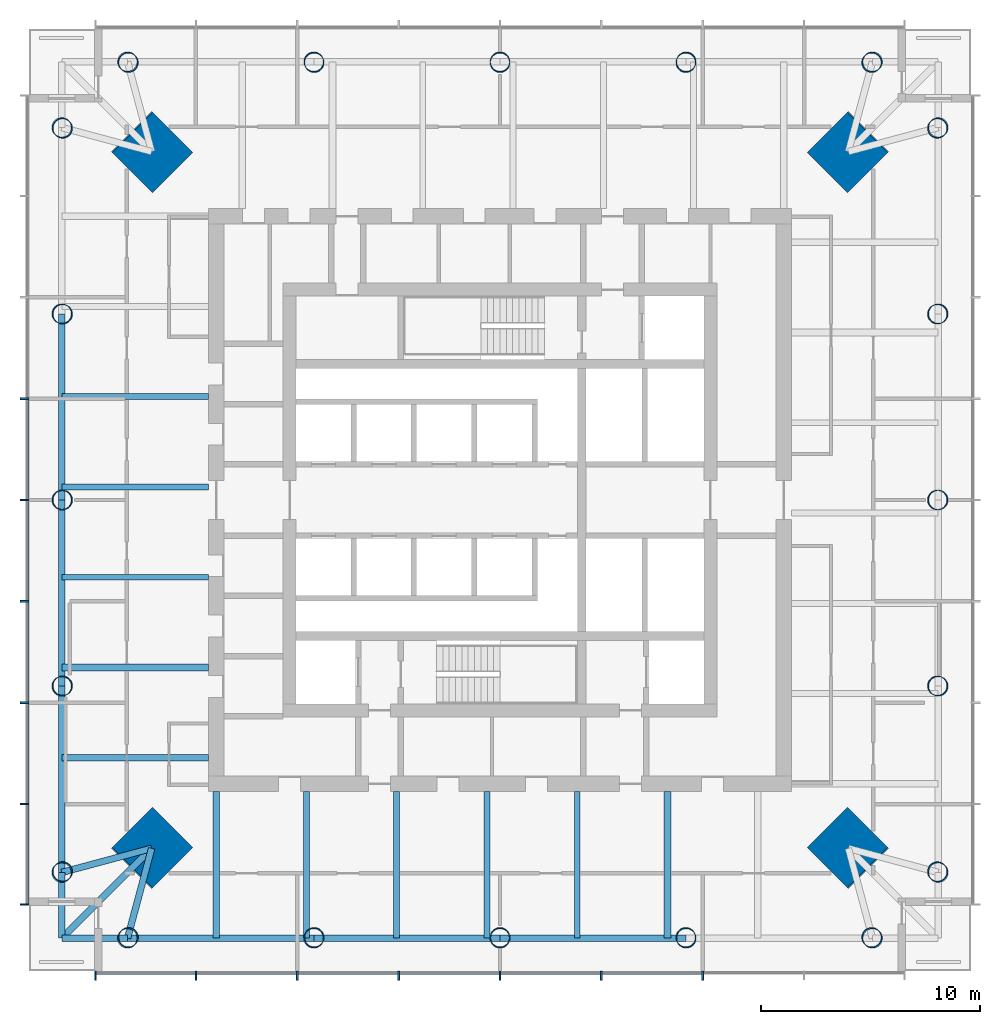
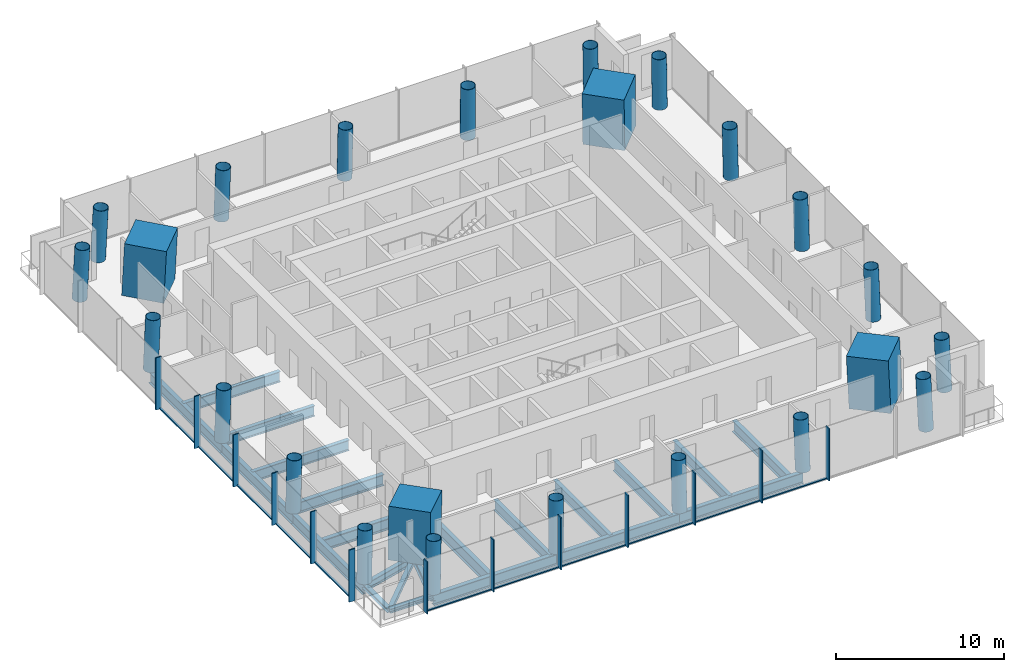
# One storey, part 1 of 9: 24 columns, 24 members, 22 beams, 2 elements without a shape of their own.
"""IFC4 building model written with IfcOpenShell, lengths in metres."""

from ifc_helpers import new_model, si_unit, direction, frame, origin, origin_2d, place, context, subcontext, project, spatial, rectangle, hollow_circle, i_section, extrude, material, material_profile, profile_set, type_object, element, aggregate, save


model = new_model("IFC4")

# Units and contexts
model_context = context("Model", 3, precision=1e-05, world=origin(), true_north=direction((0.0, 1.0)))
body_context = subcontext(model_context, "Body", "Model", "MODEL_VIEW")
ifc_project = project(units=[si_unit("LENGTHUNIT", "METRE"), si_unit("AREAUNIT", "SQUARE_METRE"), si_unit("VOLUMEUNIT", "CUBIC_METRE"), si_unit("PLANEANGLEUNIT", "RADIAN"), si_unit("MASSUNIT", "GRAM", prefix="KILO")], contexts=[model_context])

# Site, building, storey
site_placement = place(None, origin())
site = spatial("IfcSite", under=ifc_project, at=site_placement, CompositionType="ELEMENT")
building_placement = place(site_placement, origin())
building = spatial("IfcBuilding", under=site, at=building_placement, Name="Ostroluk Exchange", CompositionType="ELEMENT")
storey_placement = place(building_placement, frame((0.0, 0.0, 146.39990234375)))
storey = spatial("IfcBuildingStorey", under=building, at=storey_placement, Name="L37", CompositionType="ELEMENT", Elevation=146.39990234375)

# Columns
ifc_material_1 = material(Name="Concrete C50/60", Category="concrete")
ifc_material_profile_1 = material_profile(ifc_material_1, rectangle(XDim=2.60009765625, YDim=2.60009765625, at=origin_2d()), Name="RC 2600x2600")
ifc_profile_set_1 = profile_set([ifc_material_profile_1], Name="Concrete C50/60")
column_type_1 = type_object("IfcColumnType", Name="Mega column RC 2600x2600", PredefinedType="COLUMN", material=ifc_profile_set_1)
for number, where, z_axis, x_axis, name in (
    (1, (60.892822265625, 61.892822265625, 0.0), (-0.031898107953, -0.031898107953, 0.998981992539), (0.707106781187, -0.707106781187, 0.0), "T1 mega column NE"),
    (2, (29.107177734375, 61.892822265625, 0.0), (0.031898107953, -0.031898107953, 0.998981992539), (0.707106781187, 0.707106781187, 0.0), "T1 mega column NW"),
    (3, (29.107177734375, 30.107177734375, 0.0), (0.031898107953, 0.031898107953, 0.998981992539), (-0.707106781187, 0.707106781187, 0.0), "T1 mega column SW"),
    (4, (60.892822265625, 30.107177734375, 0.0), (-0.031898107953, 0.031898107953, 0.998981992539), (-0.707106781187, -0.707106781187, 0.0), "T1 mega column SE"),
):
    element("IfcColumn", number, at=place(storey_placement, frame(where, z_axis=z_axis, x_axis=x_axis)), inside=storey, type_object=column_type_1, Name=name, PredefinedType="COLUMN", context=body_context, shape_type="SweptSolid", body=[
        extrude(rectangle(XDim=2.60009765625, YDim=2.60009765625, at=origin_2d()), origin(), (0.0, 0.0, 1.0), 3.803955078125),
    ])
ifc_material_2 = material(Name="Steel S460", Category="steel")
ifc_material_profile_2 = material_profile(ifc_material_2, hollow_circle(Radius=0.45703125, WallThickness=0.030029296875, at=origin_2d()), Name="CHS 914x30")
ifc_profile_set_2 = profile_set([ifc_material_profile_2], Name="Steel S460")
column_type_2 = type_object("IfcColumnType", Name="Perimeter column CHS 914x30", PredefinedType="COLUMN", material=ifc_profile_set_2)
for number, where, z_axis, x_axis, name in (
    (5, (64.992919921875, 29.007080078125, 0.0), (-0.031962158256, 0.031962158256, 0.998977898093), (-0.707106781187, -0.707106781187, 0.0), "T1 east face column E0"),
    (6, (64.992919921875, 62.992919921875, 0.0), (-0.031962158256, -0.031962158256, 0.998977898093), (0.707106781187, -0.707106781187, 0.0), "T1 east face column E1"),
):
    element("IfcColumn", number, at=place(storey_placement, frame(where, z_axis=z_axis, x_axis=x_axis)), inside=storey, type_object=column_type_2, Name=name, PredefinedType="COLUMN", context=body_context, shape_type="SweptSolid", body=[
        extrude(hollow_circle(Radius=0.45703125, WallThickness=0.030029296875, at=origin_2d()), origin(), (0.0, 0.0, 1.0), 3.803955078125),
    ])
column_1_placement = place(storey_placement, frame((64.992919921875, 37.503662109375, 0.0), z_axis=(-0.031974442509, 0.015923015547, 0.999361842679), x_axis=(-0.445775033553, -0.895145027055, 0.0)))
element("IfcColumn", 7, at=column_1_placement, inside=storey, type_object=column_type_2, Name="T1 east face column I1", PredefinedType="COLUMN", context=body_context, shape_type="SweptSolid", body=[
    extrude(hollow_circle(Radius=0.45703125, WallThickness=0.030029296875, at=origin_2d()), origin(), (0.0, 0.0, 1.0), 3.802490234375),
])
column_2_placement = place(storey_placement, frame((64.992919921875, 46.0, 0.0), z_axis=(-0.031978496719, 0.0, 0.999488557087), x_axis=(0.0, -1.0, 0.0)))
element("IfcColumn", 8, at=column_2_placement, inside=storey, type_object=column_type_2, Name="T1 east face column I2", PredefinedType="COLUMN", context=body_context, shape_type="SweptSolid", body=[
    extrude(hollow_circle(Radius=0.45703125, WallThickness=0.030029296875, at=origin_2d()), origin(), (0.0, 0.0, 1.0), 3.802001953125),
])
column_3_placement = place(storey_placement, frame((64.992919921875, 54.496337890625, 0.0), z_axis=(-0.031974442509, -0.015923015547, 0.999361842679), x_axis=(0.445775033553, -0.895145027055, 0.0)))
element("IfcColumn", 9, at=column_3_placement, inside=storey, type_object=column_type_2, Name="T1 east face column I3", PredefinedType="COLUMN", context=body_context, shape_type="SweptSolid", body=[
    extrude(hollow_circle(Radius=0.45703125, WallThickness=0.030029296875, at=origin_2d()), origin(), (0.0, 0.0, 1.0), 3.802490234375),
])
for number, where, z_axis, x_axis, name in (
    (10, (61.992919921875, 65.992919921875, 0.0), (-0.031962158256, -0.031962158256, 0.998977898093), (0.707106781187, -0.707106781187, 0.0), "T1 north face column E0"),
    (11, (28.007080078125, 65.992919921875, 0.0), (0.031962158256, -0.031962158256, 0.998977898093), (0.707106781187, 0.707106781187, 0.0), "T1 north face column E1"),
):
    element("IfcColumn", number, at=place(storey_placement, frame(where, z_axis=z_axis, x_axis=x_axis)), inside=storey, type_object=column_type_2, Name=name, PredefinedType="COLUMN", context=body_context, shape_type="SweptSolid", body=[
        extrude(hollow_circle(Radius=0.45703125, WallThickness=0.030029296875, at=origin_2d()), origin(), (0.0, 0.0, 1.0), 3.803955078125),
    ])
column_4_placement = place(storey_placement, frame((53.496337890625, 65.992919921875, 0.0), z_axis=(-0.015923015547, -0.031974442509, 0.999361842679), x_axis=(0.895145027055, -0.445775033553, 0.0)))
element("IfcColumn", 12, at=column_4_placement, inside=storey, type_object=column_type_2, Name="T1 north face column I1", PredefinedType="COLUMN", context=body_context, shape_type="SweptSolid", body=[
    extrude(hollow_circle(Radius=0.45703125, WallThickness=0.030029296875, at=origin_2d()), origin(), (0.0, 0.0, 1.0), 3.802490234375),
])
column_5_placement = place(storey_placement, frame((45.0, 65.992919921875, 0.0), z_axis=(0.0, -0.031978496719, 0.999488557087), x_axis=(1.0, 0.0, 0.0)))
element("IfcColumn", 13, at=column_5_placement, inside=storey, type_object=column_type_2, Name="T1 north face column I2", PredefinedType="COLUMN", context=body_context, shape_type="SweptSolid", body=[
    extrude(hollow_circle(Radius=0.45703125, WallThickness=0.030029296875, at=origin_2d()), origin(), (0.0, 0.0, 1.0), 3.802001953125),
])
column_6_placement = place(storey_placement, frame((36.503662109375, 65.992919921875, 0.0), z_axis=(0.015923015547, -0.031974442509, 0.999361842679), x_axis=(0.895145027055, 0.445775033553, 0.0)))
element("IfcColumn", 14, at=column_6_placement, inside=storey, type_object=column_type_2, Name="T1 north face column I3", PredefinedType="COLUMN", context=body_context, shape_type="SweptSolid", body=[
    extrude(hollow_circle(Radius=0.45703125, WallThickness=0.030029296875, at=origin_2d()), origin(), (0.0, 0.0, 1.0), 3.802490234375),
])
for number, where, z_axis, x_axis, name in (
    (15, (25.007080078125, 62.992919921875, 0.0), (0.031962158256, -0.031962158256, 0.998977898093), (0.707106781187, 0.707106781187, 0.0), "T1 west face column E0"),
    (16, (25.007080078125, 29.007080078125, 0.0), (0.031962158256, 0.031962158256, 0.998977898093), (-0.707106781187, 0.707106781187, 0.0), "T1 west face column E1"),
):
    element("IfcColumn", number, at=place(storey_placement, frame(where, z_axis=z_axis, x_axis=x_axis)), inside=storey, type_object=column_type_2, Name=name, PredefinedType="COLUMN", context=body_context, shape_type="SweptSolid", body=[
        extrude(hollow_circle(Radius=0.45703125, WallThickness=0.030029296875, at=origin_2d()), origin(), (0.0, 0.0, 1.0), 3.803955078125),
    ])
column_7_placement = place(storey_placement, frame((25.007080078125, 54.496337890625, 0.0), z_axis=(0.031974442509, -0.015923015547, 0.999361842679), x_axis=(0.445775033553, 0.895145027055, 0.0)))
element("IfcColumn", 17, at=column_7_placement, inside=storey, type_object=column_type_2, Name="T1 west face column I1", PredefinedType="COLUMN", context=body_context, shape_type="SweptSolid", body=[
    extrude(hollow_circle(Radius=0.45703125, WallThickness=0.030029296875, at=origin_2d()), origin(), (0.0, 0.0, 1.0), 3.802490234375),
])
column_8_placement = place(storey_placement, frame((25.007080078125, 46.0, 0.0), z_axis=(0.031978496719, 0.0, 0.999488557087), x_axis=(0.0, 1.0, 0.0)))
element("IfcColumn", 18, at=column_8_placement, inside=storey, type_object=column_type_2, Name="T1 west face column I2", PredefinedType="COLUMN", context=body_context, shape_type="SweptSolid", body=[
    extrude(hollow_circle(Radius=0.45703125, WallThickness=0.030029296875, at=origin_2d()), origin(), (0.0, 0.0, 1.0), 3.802001953125),
])
column_9_placement = place(storey_placement, frame((25.007080078125, 37.503662109375, 0.0), z_axis=(0.031974442509, 0.015923015547, 0.999361842679), x_axis=(-0.445775033553, 0.895145027055, 0.0)))
element("IfcColumn", 19, at=column_9_placement, inside=storey, type_object=column_type_2, Name="T1 west face column I3", PredefinedType="COLUMN", context=body_context, shape_type="SweptSolid", body=[
    extrude(hollow_circle(Radius=0.45703125, WallThickness=0.030029296875, at=origin_2d()), origin(), (0.0, 0.0, 1.0), 3.802490234375),
])
for number, where, z_axis, x_axis, name in (
    (20, (28.007080078125, 26.007080078125, 0.0), (0.031962158256, 0.031962158256, 0.998977898093), (-0.707106781187, 0.707106781187, 0.0), "T1 south face column E0"),
    (21, (61.992919921875, 26.007080078125, 0.0), (-0.031962158256, 0.031962158256, 0.998977898093), (-0.707106781187, -0.707106781187, 0.0), "T1 south face column E1"),
):
    element("IfcColumn", number, at=place(storey_placement, frame(where, z_axis=z_axis, x_axis=x_axis)), inside=storey, type_object=column_type_2, Name=name, PredefinedType="COLUMN", context=body_context, shape_type="SweptSolid", body=[
        extrude(hollow_circle(Radius=0.45703125, WallThickness=0.030029296875, at=origin_2d()), origin(), (0.0, 0.0, 1.0), 3.803955078125),
    ])
column_10_placement = place(storey_placement, frame((36.503662109375, 26.007080078125, 0.0), z_axis=(0.015923015547, 0.031974442509, 0.999361842679), x_axis=(-0.895145027055, 0.445775033553, 0.0)))
element("IfcColumn", 22, at=column_10_placement, inside=storey, type_object=column_type_2, Name="T1 south face column I1", PredefinedType="COLUMN", context=body_context, shape_type="SweptSolid", body=[
    extrude(hollow_circle(Radius=0.45703125, WallThickness=0.030029296875, at=origin_2d()), origin(), (0.0, 0.0, 1.0), 3.802490234375),
])
column_11_placement = place(storey_placement, frame((45.0, 26.007080078125, 0.0), z_axis=(0.0, 0.031978496719, 0.999488557087), x_axis=(-1.0, 0.0, 0.0)))
element("IfcColumn", 23, at=column_11_placement, inside=storey, type_object=column_type_2, Name="T1 south face column I2", PredefinedType="COLUMN", context=body_context, shape_type="SweptSolid", body=[
    extrude(hollow_circle(Radius=0.45703125, WallThickness=0.030029296875, at=origin_2d()), origin(), (0.0, 0.0, 1.0), 3.802001953125),
])
column_12_placement = place(storey_placement, frame((53.496337890625, 26.007080078125, 0.0), z_axis=(-0.015923015547, 0.031974442509, 0.999361842679), x_axis=(-0.895145027055, -0.445775033553, 0.0)))
element("IfcColumn", 24, at=column_12_placement, inside=storey, type_object=column_type_2, Name="T1 south face column I3", PredefinedType="COLUMN", context=body_context, shape_type="SweptSolid", body=[
    extrude(hollow_circle(Radius=0.45703125, WallThickness=0.030029296875, at=origin_2d()), origin(), (0.0, 0.0, 1.0), 3.802490234375),
])

# Beams
ifc_material_3 = material(Name="Steel S355", Category="steel")
ifc_material_profile_3 = material_profile(ifc_material_3, i_section(OverallWidth=0.300048828125, OverallDepth=0.300048828125, WebThickness=0.010986328125, FlangeThickness=0.01904296875, FilletRadius=0.027099609375, at=origin_2d()), Name="HEB 300")
ifc_profile_set_3 = profile_set([ifc_material_profile_3], Name="Steel S355")
beam_type_1 = type_object("IfcBeamType", Name="Balcony beam HEB 300", PredefinedType="BEAM", material=ifc_profile_set_3)
for number, where, z_axis, x_axis, name in (
    (25, (25.007080078125, 29.007080078125, -0.329833984375), (0.0, -1.0, 0.0), (1.0, 0.0, 0.0), "T1 west balcony beam a"),
    (26, (28.007080078125, 26.007080078125, -0.329833984375), (-1.0, 0.0, 0.0), (0.0, -1.0, 0.0), "T1 west balcony beam b"),
):
    element("IfcBeam", number, at=place(storey_placement, frame(where, z_axis=z_axis, x_axis=x_axis)), inside=storey, type_object=beam_type_1, Name=name, PredefinedType="BEAM", context=body_context, shape_type="SweptSolid", body=[
        extrude(i_section(OverallWidth=0.300048828125, OverallDepth=0.300048828125, WebThickness=0.010986328125, FlangeThickness=0.01904296875, FilletRadius=0.027099609375, at=origin_2d()), origin(), (0.0, 0.0, 1.0), 3.0),
    ])
beam_1_placement = place(storey_placement, frame((29.107177734375, 30.107177734375, -0.329833984375), z_axis=(-0.707106781187, -0.707106781187, 0.0), x_axis=(0.707106781187, -0.707106781187, 0.0)))
element("IfcBeam", 27, at=beam_1_placement, inside=storey, type_object=beam_type_1, Name="T1 west balcony beam c", PredefinedType="BEAM", context=body_context, shape_type="SweptSolid", body=[
    extrude(i_section(OverallWidth=0.300048828125, OverallDepth=0.300048828125, WebThickness=0.010986328125, FlangeThickness=0.01904296875, FilletRadius=0.027099609375, at=origin_2d()), origin(), (0.0, 0.0, 1.0), 5.79833984375),
])
ifc_material_4 = material(Name="Steel S355", Category="steel")
ifc_material_profile_4 = material_profile(ifc_material_4, i_section(OverallWidth=0.300048828125, OverallDepth=0.550048828125, WebThickness=0.014892578125, FlangeThickness=0.029052734375, FilletRadius=0.027099609375, at=origin_2d()), Name="HEB 550")
ifc_profile_set_4 = profile_set([ifc_material_profile_4], Name="Steel S355")
beam_type_2 = type_object("IfcBeamType", Name="Corner edge beam HEB 550", PredefinedType="SPANDREL", material=ifc_profile_set_4)
for number, where, z_axis, x_axis, name in (
    (28, (29.107177734375, 30.107177734375, -0.454833984375), (-0.965838624319, -0.259144268261, 0.0), (0.259144268261, -0.965838624319, 0.0), "T1 west corner edge beam a"),
    (29, (29.107177734375, 30.107177734375, -0.454833984375), (-0.259144268261, -0.965838624319, 0.0), (0.965838624319, -0.259144268261, 0.0), "T1 west corner edge beam b"),
):
    element("IfcBeam", number, at=place(storey_placement, frame(where, z_axis=z_axis, x_axis=x_axis)), inside=storey, type_object=beam_type_2, Name=name, PredefinedType="SPANDREL", context=body_context, shape_type="SweptSolid", body=[
        extrude(i_section(OverallWidth=0.300048828125, OverallDepth=0.550048828125, WebThickness=0.014892578125, FlangeThickness=0.029052734375, FilletRadius=0.027099609375, at=origin_2d()), origin(), (0.0, 0.0, 1.0), 4.2451171875),
    ])
ifc_material_5 = material(Name="Steel S355", Category="steel")
ifc_material_profile_5 = material_profile(ifc_material_5, i_section(OverallWidth=0.302978515625, OverallDepth=0.81396484375, WebThickness=0.02099609375, FlangeThickness=0.0400390625, FilletRadius=0.030029296875, at=origin_2d()), Name="HEM 800")
ifc_profile_set_5 = profile_set([ifc_material_profile_5], Name="Steel S355")
beam_type_3 = type_object("IfcBeamType", Name="Floor beam HEM 800", PredefinedType="BEAM", material=ifc_profile_set_5)
for number, where, z_axis, x_axis, name in (
    (30, (31.699951171875, 38.360595703125, -0.5869140625), (-1.0, 0.0, 0.0), (0.0, -1.0, 0.0), "T1 west floor beam 5"),
    (31, (31.699951171875, 34.242919921875, -0.5869140625), (-1.0, 0.0, 0.0), (0.0, -1.0, 0.0), "T1 west floor beam 6"),
    (32, (52.639404296875, 32.699951171875, -0.5869140625), (0.0, -1.0, 0.0), (1.0, 0.0, 0.0), "T1 south floor beam 5"),
):
    element("IfcBeam", number, at=place(storey_placement, frame(where, z_axis=z_axis, x_axis=x_axis)), inside=storey, type_object=beam_type_3, Name=name, PredefinedType="BEAM", context=body_context, shape_type="SweptSolid", body=[
        extrude(i_section(OverallWidth=0.302978515625, OverallDepth=0.81396484375, WebThickness=0.02099609375, FlangeThickness=0.0400390625, FilletRadius=0.030029296875, at=origin_2d()), origin(), (0.0, 0.0, 1.0), 6.69287109375),
    ])
ifc_material_6 = material(Name="Steel S355", Category="steel")
ifc_material_profile_6 = material_profile(ifc_material_6, i_section(OverallWidth=0.26708984375, OverallDepth=0.761962890625, WebThickness=0.014404296875, FlangeThickness=0.021484375, FilletRadius=0.01708984375, at=origin_2d()), Name="IPE 750x173")
ifc_profile_set_6 = profile_set([ifc_material_profile_6], Name="Steel S355")
beam_type_4 = type_object("IfcBeamType", Name="Floor beam IPE 750x173", PredefinedType="BEAM", material=ifc_profile_set_6)
for number, where, z_axis, x_axis, name in (
    (33, (31.699951171875, 50.71435546875, -0.560791015625), (-1.0, 0.0, 0.0), (0.0, -1.0, 0.0), "T1 west floor beam 2"),
    (34, (31.699951171875, 46.596435546875, -0.560791015625), (-1.0, 0.0, 0.0), (0.0, -1.0, 0.0), "T1 west floor beam 3"),
    (35, (31.699951171875, 42.478515625, -0.560791015625), (-1.0, 0.0, 0.0), (0.0, -1.0, 0.0), "T1 west floor beam 4"),
    (36, (36.16796875, 32.699951171875, -0.560791015625), (0.0, -1.0, 0.0), (1.0, 0.0, 0.0), "T1 south floor beam 1"),
    (37, (40.28564453125, 32.699951171875, -0.560791015625), (0.0, -1.0, 0.0), (1.0, 0.0, 0.0), "T1 south floor beam 2"),
    (38, (44.403564453125, 32.699951171875, -0.560791015625), (0.0, -1.0, 0.0), (1.0, 0.0, 0.0), "T1 south floor beam 3"),
    (39, (48.521484375, 32.699951171875, -0.560791015625), (0.0, -1.0, 0.0), (1.0, 0.0, 0.0), "T1 south floor beam 4"),
):
    element("IfcBeam", number, at=place(storey_placement, frame(where, z_axis=z_axis, x_axis=x_axis)), inside=storey, type_object=beam_type_4, Name=name, PredefinedType="BEAM", context=body_context, shape_type="SweptSolid", body=[
        extrude(i_section(OverallWidth=0.26708984375, OverallDepth=0.761962890625, WebThickness=0.014404296875, FlangeThickness=0.021484375, FilletRadius=0.01708984375, at=origin_2d()), origin(), (0.0, 0.0, 1.0), 6.69287109375),
    ])
ifc_material_7 = material(Name="Steel S355", Category="steel")
ifc_material_profile_7 = material_profile(ifc_material_7, i_section(OverallWidth=0.300048828125, OverallDepth=0.89990234375, WebThickness=0.0185546875, FlangeThickness=0.034912109375, FilletRadius=0.030029296875, at=origin_2d()), Name="HEB 900")
ifc_profile_set_7 = profile_set([ifc_material_profile_7], Name="Steel S355")
beam_type_5 = type_object("IfcBeamType", Name="Girder HEB 900", PredefinedType="BEAM", material=ifc_profile_set_7)
beam_2_placement = place(storey_placement, frame((32.050048828125, 32.699951171875, -0.6298828125), z_axis=(0.0, -1.0, 0.0), x_axis=(1.0, 0.0, 0.0)))
element("IfcBeam", 40, at=beam_2_placement, inside=storey, type_object=beam_type_5, Name="T1 west girder", PredefinedType="BEAM", context=body_context, shape_type="SweptSolid", body=[
    extrude(i_section(OverallWidth=0.300048828125, OverallDepth=0.89990234375, WebThickness=0.0185546875, FlangeThickness=0.034912109375, FilletRadius=0.030029296875, at=origin_2d()), origin(), (0.0, 0.0, 1.0), 6.69287109375),
])
ifc_material_8 = material(Name="Steel S355", Category="steel")
ifc_material_profile_8 = material_profile(ifc_material_8, i_section(OverallWidth=0.300048828125, OverallDepth=0.800048828125, WebThickness=0.017578125, FlangeThickness=0.032958984375, FilletRadius=0.030029296875, at=origin_2d()), Name="HEB 800")
ifc_profile_set_8 = profile_set([ifc_material_profile_8], Name="Steel S355")
beam_type_6 = type_object("IfcBeamType", Name="Moment-connected edge beam HEB 800", PredefinedType="SPANDREL", material=ifc_profile_set_8)
for number, where, z_axis, x_axis, name in (
    (41, (25.007080078125, 54.496337890625, -0.579833984375), (0.0, -1.0, 0.0), (1.0, 0.0, 0.0), "T1 west edge beam 2"),
    (42, (25.007080078125, 46.0, -0.579833984375), (0.0, -1.0, 0.0), (1.0, 0.0, 0.0), "T1 west edge beam 3"),
):
    element("IfcBeam", number, at=place(storey_placement, frame(where, z_axis=z_axis, x_axis=x_axis)), inside=storey, type_object=beam_type_6, Name=name, PredefinedType="SPANDREL", context=body_context, shape_type="SweptSolid", body=[
        extrude(i_section(OverallWidth=0.300048828125, OverallDepth=0.800048828125, WebThickness=0.017578125, FlangeThickness=0.032958984375, FilletRadius=0.030029296875, at=origin_2d()), origin(), (0.0, 0.0, 1.0), 8.496337890625),
    ])
for number, where, z_axis, x_axis, name in (
    (43, (25.007080078125, 37.503662109375, -0.579833984375), (0.0, -1.0, 0.0), (1.0, 0.0, 0.0), "T1 west edge beam 4"),
    (44, (28.007080078125, 26.007080078125, -0.579833984375), (1.0, 0.0, 0.0), (0.0, 1.0, 0.0), "T1 south edge beam 1"),
):
    element("IfcBeam", number, at=place(storey_placement, frame(where, z_axis=z_axis, x_axis=x_axis)), inside=storey, type_object=beam_type_6, Name=name, PredefinedType="SPANDREL", context=body_context, shape_type="SweptSolid", body=[
        extrude(i_section(OverallWidth=0.300048828125, OverallDepth=0.800048828125, WebThickness=0.017578125, FlangeThickness=0.032958984375, FilletRadius=0.030029296875, at=origin_2d()), origin(), (0.0, 0.0, 1.0), 8.49658203125),
    ])
for number, where, z_axis, x_axis, name in (
    (45, (36.503662109375, 26.007080078125, -0.579833984375), (1.0, 0.0, 0.0), (0.0, 1.0, 0.0), "T1 south edge beam 2"),
    (46, (45.0, 26.007080078125, -0.579833984375), (1.0, 0.0, 0.0), (0.0, 1.0, 0.0), "T1 south edge beam 3"),
):
    element("IfcBeam", number, at=place(storey_placement, frame(where, z_axis=z_axis, x_axis=x_axis)), inside=storey, type_object=beam_type_6, Name=name, PredefinedType="SPANDREL", context=body_context, shape_type="SweptSolid", body=[
        extrude(i_section(OverallWidth=0.300048828125, OverallDepth=0.800048828125, WebThickness=0.017578125, FlangeThickness=0.032958984375, FilletRadius=0.030029296875, at=origin_2d()), origin(), (0.0, 0.0, 1.0), 8.496337890625),
    ])

# Curtain wall, members
ifc_material_9 = material(Name="Laminated clear glass", Category="glass")
curtain_wall_type = type_object("IfcCurtainWallType", Name="Office tower facade", PredefinedType="USERDEFINED", material=ifc_material_9)
curtain_wall_1_placement = place(storey_placement, origin())
curtain_wall_1 = element("IfcCurtainWall", 47, at=curtain_wall_1_placement, inside=storey, type_object=curtain_wall_type, Name="Office tower south facade L37", ObjectType="UNITISED CURTAIN WALL", PredefinedType="USERDEFINED")
ifc_material_10 = material(Name="Aluminium mullion", Category="aluminium")
ifc_material_profile_9 = material_profile(ifc_material_10, rectangle(XDim=0.14990234375, YDim=0.080078125, at=origin_2d()), Name="Sill transom 80 x 150")
ifc_profile_set_9 = profile_set([ifc_material_profile_9], Name="Aluminium mullion")
member_type_1 = type_object("IfcMemberType", Name="Sill transom 80 x 150", PredefinedType="USERDEFINED", material=ifc_profile_set_9)
member_1_placement = place(storey_placement, frame((26.580078125, 24.425048828125, 0.0400390625), z_axis=(1.0, 0.0, 0.0), x_axis=(0.0, 1.0, 0.0)))
member_1 = element("IfcMember", 48, at=member_1_placement, type_object=member_type_1, Name="CW-O1 transom 1.1", ObjectType="TRANSOM", PredefinedType="USERDEFINED", context=body_context, shape_type="SweptSolid", body=[
    extrude(rectangle(XDim=0.14990234375, YDim=0.080078125, at=origin_2d()), origin(), (0.0, 0.0, 1.0), 4.5048828125),
])
member_2_placement = place(storey_placement, frame((31.1650390625, 24.425048828125, 0.0400390625), z_axis=(1.0, 0.0, 0.0), x_axis=(0.0, 1.0, 0.0)))
member_2 = element("IfcMember", 49, at=member_2_placement, type_object=member_type_1, Name="CW-O1 transom 2.1", ObjectType="TRANSOM", PredefinedType="USERDEFINED", context=body_context, shape_type="SweptSolid", body=[
    extrude(rectangle(XDim=0.14990234375, YDim=0.080078125, at=origin_2d()), origin(), (0.0, 0.0, 1.0), 4.544921875),
])
member_3_placement = place(storey_placement, frame((35.7900390625, 24.425048828125, 0.0400390625), z_axis=(1.0, 0.0, 0.0), x_axis=(0.0, 1.0, 0.0)))
member_3 = element("IfcMember", 50, at=member_3_placement, type_object=member_type_1, Name="CW-O1 transom 3.1", ObjectType="TRANSOM", PredefinedType="USERDEFINED", context=body_context, shape_type="SweptSolid", body=[
    extrude(rectangle(XDim=0.14990234375, YDim=0.080078125, at=origin_2d()), origin(), (0.0, 0.0, 1.0), 4.544921875),
])
member_4_placement = place(storey_placement, frame((40.4150390625, 24.425048828125, 0.0400390625), z_axis=(1.0, 0.0, 0.0), x_axis=(0.0, 1.0, 0.0)))
member_4 = element("IfcMember", 51, at=member_4_placement, type_object=member_type_1, Name="CW-O1 transom 4.1", ObjectType="TRANSOM", PredefinedType="USERDEFINED", context=body_context, shape_type="SweptSolid", body=[
    extrude(rectangle(XDim=0.14990234375, YDim=0.080078125, at=origin_2d()), origin(), (0.0, 0.0, 1.0), 4.544921875),
])
member_5_placement = place(storey_placement, frame((45.0400390625, 24.425048828125, 0.0400390625), z_axis=(1.0, 0.0, 0.0), x_axis=(0.0, 1.0, 0.0)))
member_5 = element("IfcMember", 52, at=member_5_placement, type_object=member_type_1, Name="CW-O1 transom 5.1", ObjectType="TRANSOM", PredefinedType="USERDEFINED", context=body_context, shape_type="SweptSolid", body=[
    extrude(rectangle(XDim=0.14990234375, YDim=0.080078125, at=origin_2d()), origin(), (0.0, 0.0, 1.0), 4.544921875),
])
member_6_placement = place(storey_placement, frame((49.6650390625, 24.425048828125, 0.0400390625), z_axis=(1.0, 0.0, 0.0), x_axis=(0.0, 1.0, 0.0)))
member_6 = element("IfcMember", 53, at=member_6_placement, type_object=member_type_1, Name="CW-O1 transom 6.1", ObjectType="TRANSOM", PredefinedType="USERDEFINED", context=body_context, shape_type="SweptSolid", body=[
    extrude(rectangle(XDim=0.14990234375, YDim=0.080078125, at=origin_2d()), origin(), (0.0, 0.0, 1.0), 4.544921875),
])

curtain_wall_2_placement = place(storey_placement, origin())
curtain_wall_2 = element("IfcCurtainWall", 54, at=curtain_wall_2_placement, inside=storey, type_object=curtain_wall_type, Name="Office tower west facade L37", ObjectType="UNITISED CURTAIN WALL", PredefinedType="USERDEFINED")
member_7_placement = place(storey_placement, frame((23.425048828125, 50.5849609375, 0.0400390625), z_axis=(0.0, -1.0, 0.0), x_axis=(1.0, 0.0, 0.0)))
member_7 = element("IfcMember", 55, at=member_7_placement, type_object=member_type_1, Name="CW-O1 transom 4.1", ObjectType="TRANSOM", PredefinedType="USERDEFINED", context=body_context, shape_type="SweptSolid", body=[
    extrude(rectangle(XDim=0.14990234375, YDim=0.080078125, at=origin_2d()), origin(), (0.0, 0.0, 1.0), 4.544921875),
])
member_8_placement = place(storey_placement, frame((23.425048828125, 45.9599609375, 0.0400390625), z_axis=(0.0, -1.0, 0.0), x_axis=(1.0, 0.0, 0.0)))
member_8 = element("IfcMember", 56, at=member_8_placement, type_object=member_type_1, Name="CW-O1 transom 5.1", ObjectType="TRANSOM", PredefinedType="USERDEFINED", context=body_context, shape_type="SweptSolid", body=[
    extrude(rectangle(XDim=0.14990234375, YDim=0.080078125, at=origin_2d()), origin(), (0.0, 0.0, 1.0), 4.544921875),
])
member_9_placement = place(storey_placement, frame((23.425048828125, 41.3349609375, 0.0400390625), z_axis=(0.0, -1.0, 0.0), x_axis=(1.0, 0.0, 0.0)))
member_9 = element("IfcMember", 57, at=member_9_placement, type_object=member_type_1, Name="CW-O1 transom 6.1", ObjectType="TRANSOM", PredefinedType="USERDEFINED", context=body_context, shape_type="SweptSolid", body=[
    extrude(rectangle(XDim=0.14990234375, YDim=0.080078125, at=origin_2d()), origin(), (0.0, 0.0, 1.0), 4.544921875),
])
member_10_placement = place(storey_placement, frame((23.425048828125, 36.7099609375, 0.0400390625), z_axis=(0.0, -1.0, 0.0), x_axis=(1.0, 0.0, 0.0)))
member_10 = element("IfcMember", 58, at=member_10_placement, type_object=member_type_1, Name="CW-O1 transom 7.1", ObjectType="TRANSOM", PredefinedType="USERDEFINED", context=body_context, shape_type="SweptSolid", body=[
    extrude(rectangle(XDim=0.14990234375, YDim=0.080078125, at=origin_2d()), origin(), (0.0, 0.0, 1.0), 4.544921875),
])
member_11_placement = place(storey_placement, frame((23.425048828125, 32.0849609375, 0.0400390625), z_axis=(0.0, -1.0, 0.0), x_axis=(1.0, 0.0, 0.0)))
member_11 = element("IfcMember", 59, at=member_11_placement, type_object=member_type_1, Name="CW-O1 transom 8.1", ObjectType="TRANSOM", PredefinedType="USERDEFINED", context=body_context, shape_type="SweptSolid", body=[
    extrude(rectangle(XDim=0.14990234375, YDim=0.080078125, at=origin_2d()), origin(), (0.0, 0.0, 1.0), 4.5048828125),
])

# Member
ifc_material_11 = material(Name="Aluminium mullion with limestone facing", Category="masonry")
ifc_material_profile_10 = material_profile(ifc_material_11, rectangle(XDim=0.39990234375, YDim=0.080078125, at=origin_2d()), Name="Tracery mullion 80 x 400")
ifc_profile_set_10 = profile_set([ifc_material_profile_10], Name="Aluminium mullion with limestone facing")
member_type_2 = type_object("IfcMemberType", Name="Tracery mullion 80 x 400", PredefinedType="MULLION", material=ifc_profile_set_10)
member_12_placement = place(storey_placement, frame((26.5400390625, 24.300048828125, 0.0), z_axis=(0.0, 0.0, 1.0), x_axis=(0.0, 1.0, 0.0)))
member_12 = element("IfcMember", 60, at=member_12_placement, type_object=member_type_2, Name="CW-O1 mullion 1", PredefinedType="MULLION", context=body_context, shape_type="SweptSolid", body=[
    extrude(rectangle(XDim=0.39990234375, YDim=0.080078125, at=origin_2d()), origin(), (0.0, 0.0, 1.0), 3.800048828125),
])

member_13_placement = place(storey_placement, frame((31.125, 24.300048828125, 0.0), z_axis=(0.0, 0.0, 1.0), x_axis=(0.0, 1.0, 0.0)))
member_13 = element("IfcMember", 61, at=member_13_placement, type_object=member_type_2, Name="CW-O1 mullion 2", PredefinedType="MULLION", context=body_context, shape_type="SweptSolid", body=[
    extrude(rectangle(XDim=0.39990234375, YDim=0.080078125, at=origin_2d()), origin(), (0.0, 0.0, 1.0), 3.800048828125),
])

member_14_placement = place(storey_placement, frame((35.75, 24.300048828125, 0.0), z_axis=(0.0, 0.0, 1.0), x_axis=(0.0, 1.0, 0.0)))
member_14 = element("IfcMember", 62, at=member_14_placement, type_object=member_type_2, Name="CW-O1 mullion 3", PredefinedType="MULLION", context=body_context, shape_type="SweptSolid", body=[
    extrude(rectangle(XDim=0.39990234375, YDim=0.080078125, at=origin_2d()), origin(), (0.0, 0.0, 1.0), 3.800048828125),
])

member_15_placement = place(storey_placement, frame((40.375, 24.300048828125, 0.0), z_axis=(0.0, 0.0, 1.0), x_axis=(0.0, 1.0, 0.0)))
member_15 = element("IfcMember", 63, at=member_15_placement, type_object=member_type_2, Name="CW-O1 mullion 4", PredefinedType="MULLION", context=body_context, shape_type="SweptSolid", body=[
    extrude(rectangle(XDim=0.39990234375, YDim=0.080078125, at=origin_2d()), origin(), (0.0, 0.0, 1.0), 3.800048828125),
])

member_16_placement = place(storey_placement, frame((45.0, 24.300048828125, 0.0), z_axis=(0.0, 0.0, 1.0), x_axis=(0.0, 1.0, 0.0)))
member_16 = element("IfcMember", 64, at=member_16_placement, type_object=member_type_2, Name="CW-O1 mullion 5", PredefinedType="MULLION", context=body_context, shape_type="SweptSolid", body=[
    extrude(rectangle(XDim=0.39990234375, YDim=0.080078125, at=origin_2d()), origin(), (0.0, 0.0, 1.0), 3.800048828125),
])

member_17_placement = place(storey_placement, frame((49.625, 24.300048828125, 0.0), z_axis=(0.0, 0.0, 1.0), x_axis=(0.0, 1.0, 0.0)))
member_17 = element("IfcMember", 65, at=member_17_placement, type_object=member_type_2, Name="CW-O1 mullion 6", PredefinedType="MULLION", context=body_context, shape_type="SweptSolid", body=[
    extrude(rectangle(XDim=0.39990234375, YDim=0.080078125, at=origin_2d()), origin(), (0.0, 0.0, 1.0), 3.800048828125),
])

member_18_placement = place(storey_placement, frame((54.25, 24.300048828125, 0.0), z_axis=(0.0, 0.0, 1.0), x_axis=(0.0, 1.0, 0.0)))
member_18 = element("IfcMember", 66, at=member_18_placement, type_object=member_type_2, Name="CW-O1 mullion 7", PredefinedType="MULLION", context=body_context, shape_type="SweptSolid", body=[
    extrude(rectangle(XDim=0.39990234375, YDim=0.080078125, at=origin_2d()), origin(), (0.0, 0.0, 1.0), 3.800048828125),
])

aggregate(curtain_wall_1, [member_12, member_13, member_14, member_15, member_16, member_17, member_18, member_1, member_2, member_3, member_4, member_5, member_6])

member_19_placement = place(storey_placement, frame((23.300048828125, 50.625, 0.0), z_axis=(0.0, 0.0, 1.0), x_axis=(1.0, 0.0, 0.0)))
member_19 = element("IfcMember", 67, at=member_19_placement, type_object=member_type_2, Name="CW-O1 mullion 4", PredefinedType="MULLION", context=body_context, shape_type="SweptSolid", body=[
    extrude(rectangle(XDim=0.39990234375, YDim=0.080078125, at=origin_2d()), origin(), (0.0, 0.0, 1.0), 3.800048828125),
])

member_20_placement = place(storey_placement, frame((23.300048828125, 46.0, 0.0), z_axis=(0.0, 0.0, 1.0), x_axis=(1.0, 0.0, 0.0)))
member_20 = element("IfcMember", 68, at=member_20_placement, type_object=member_type_2, Name="CW-O1 mullion 5", PredefinedType="MULLION", context=body_context, shape_type="SweptSolid", body=[
    extrude(rectangle(XDim=0.39990234375, YDim=0.080078125, at=origin_2d()), origin(), (0.0, 0.0, 1.0), 3.800048828125),
])

member_21_placement = place(storey_placement, frame((23.300048828125, 41.375, 0.0), z_axis=(0.0, 0.0, 1.0), x_axis=(1.0, 0.0, 0.0)))
member_21 = element("IfcMember", 69, at=member_21_placement, type_object=member_type_2, Name="CW-O1 mullion 6", PredefinedType="MULLION", context=body_context, shape_type="SweptSolid", body=[
    extrude(rectangle(XDim=0.39990234375, YDim=0.080078125, at=origin_2d()), origin(), (0.0, 0.0, 1.0), 3.800048828125),
])

member_22_placement = place(storey_placement, frame((23.300048828125, 36.75, 0.0), z_axis=(0.0, 0.0, 1.0), x_axis=(1.0, 0.0, 0.0)))
member_22 = element("IfcMember", 70, at=member_22_placement, type_object=member_type_2, Name="CW-O1 mullion 7", PredefinedType="MULLION", context=body_context, shape_type="SweptSolid", body=[
    extrude(rectangle(XDim=0.39990234375, YDim=0.080078125, at=origin_2d()), origin(), (0.0, 0.0, 1.0), 3.800048828125),
])

member_23_placement = place(storey_placement, frame((23.300048828125, 32.125, 0.0), z_axis=(0.0, 0.0, 1.0), x_axis=(1.0, 0.0, 0.0)))
member_23 = element("IfcMember", 71, at=member_23_placement, type_object=member_type_2, Name="CW-O1 mullion 8", PredefinedType="MULLION", context=body_context, shape_type="SweptSolid", body=[
    extrude(rectangle(XDim=0.39990234375, YDim=0.080078125, at=origin_2d()), origin(), (0.0, 0.0, 1.0), 3.800048828125),
])

member_24_placement = place(storey_placement, frame((23.300048828125, 27.5400390625, 0.0), z_axis=(0.0, 0.0, 1.0), x_axis=(1.0, 0.0, 0.0)))
member_24 = element("IfcMember", 72, at=member_24_placement, type_object=member_type_2, Name="CW-O1 mullion 9", PredefinedType="MULLION", context=body_context, shape_type="SweptSolid", body=[
    extrude(rectangle(XDim=0.39990234375, YDim=0.080078125, at=origin_2d()), origin(), (0.0, 0.0, 1.0), 3.800048828125),
])

aggregate(curtain_wall_2, [member_19, member_20, member_21, member_22, member_23, member_24, member_7, member_8, member_9, member_10, member_11])

save(model, "model.ifc")
